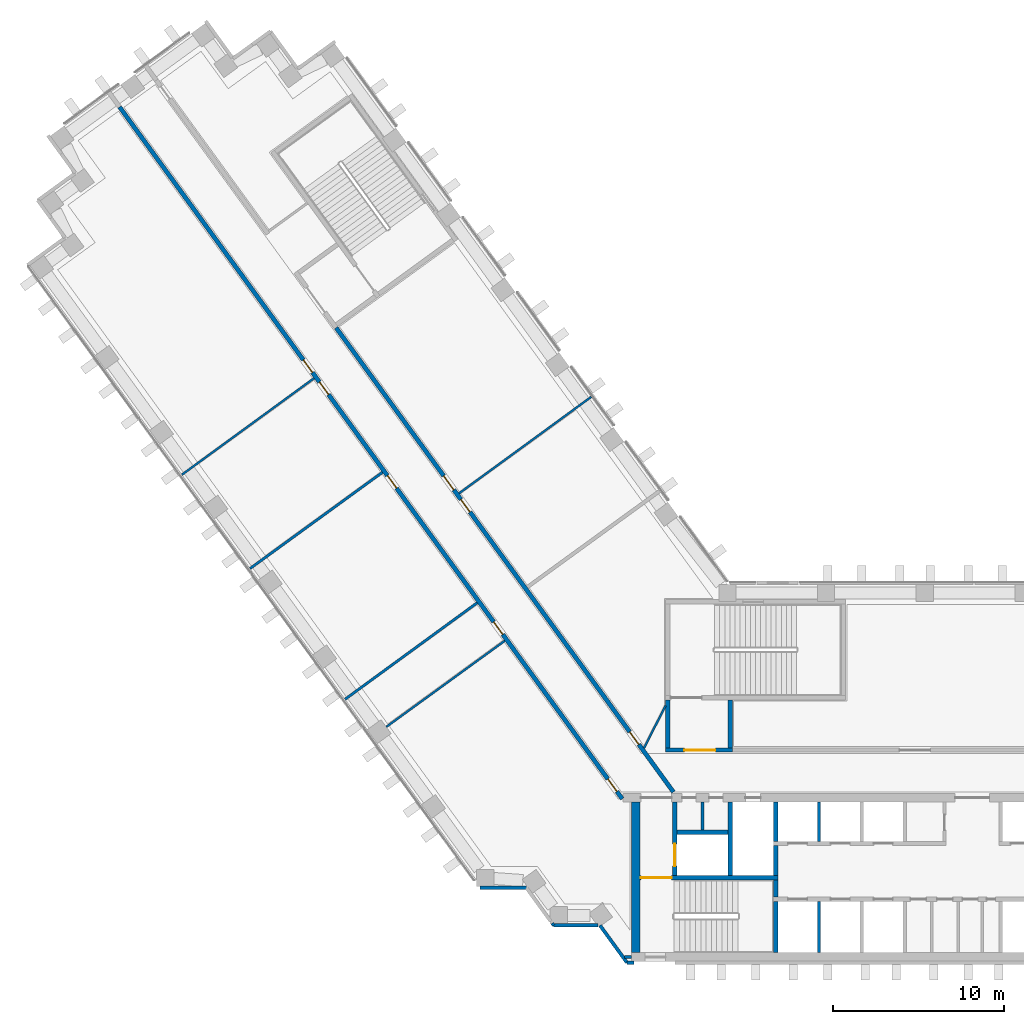
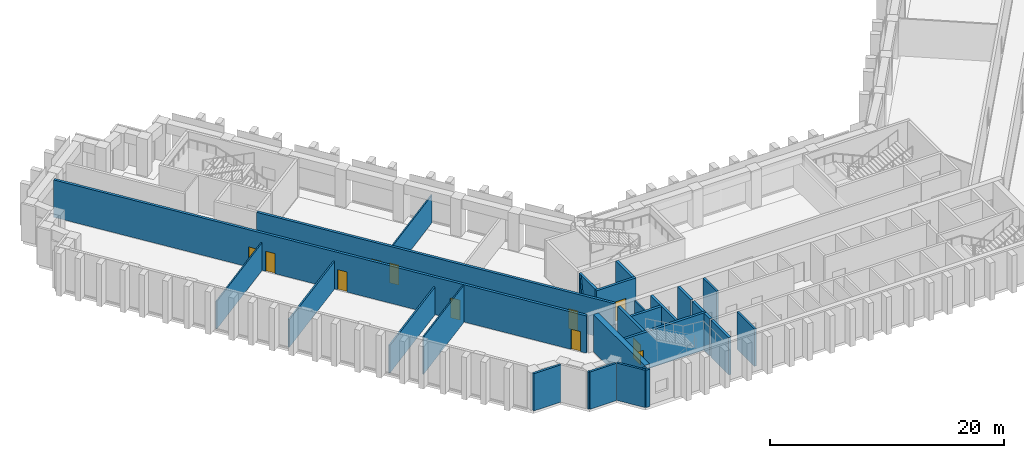
# One storey, part 5 of 14: 29 walls, 11 doors, 11 openings.
"""IFC4 building model written with IfcOpenShell, lengths in metres."""

from ifc_helpers import new_model, si_unit, direction, frame, frame_2d, origin, place, context, subcontext, project, spatial, rectangle, extrude, material, layer, layer_set, type_object, element, fill, save


model = new_model("IFC4")

# Units and contexts
model_context = context("Model", 3, precision=1e-05, world=origin(), true_north=direction((0.0, 1.0)))
body_context = subcontext(model_context, "Body", "Model", "MODEL_VIEW")
ifc_project = project(units=[si_unit("LENGTHUNIT", "METRE"), si_unit("AREAUNIT", "SQUARE_METRE"), si_unit("VOLUMEUNIT", "CUBIC_METRE"), si_unit("PLANEANGLEUNIT", "RADIAN"), si_unit("MASSUNIT", "GRAM", prefix="KILO")], contexts=[model_context])

# Site, building, storey
site_placement = place(None, origin())
site = spatial("IfcSite", under=ifc_project, at=site_placement, CompositionType="ELEMENT")
building_placement = place(site_placement, origin())
building = spatial("IfcBuilding", under=site, at=building_placement, Name="Quipu Civic Tower", CompositionType="ELEMENT")
storey_placement = place(building_placement, frame((0.0, 0.0, 20.5)))
storey = spatial("IfcBuildingStorey", under=building, at=storey_placement, Name="L04", CompositionType="ELEMENT", Elevation=20.5)

# Walls
ifc_material_1 = material(Name="Double gypsum plasterboard with mineral wool")
ifc_layer_1 = layer(ifc_material_1, 0.14990234375)
ifc_layer_set_1 = layer_set([ifc_layer_1], Name="Double gypsum plasterboard with mineral wool")
wall_type_1 = type_object("IfcWallType", Name="Acoustic partition 150 plasterboard", PredefinedType="PARTITIONING", material=ifc_layer_set_1)
wall_1_placement = place(storey_placement, frame((-36.71240234375, 4.288330078125, 0.0), z_axis=(0.0, 0.0, 1.0), x_axis=(0.807606997933, 0.589721067023, 0.0)))
element("IfcWall", 1, at=wall_1_placement, inside=storey, type_object=wall_type_1, Name="Partition P08", PredefinedType="PARTITIONING", context=body_context, shape_type="SweptSolid", body=[
    extrude(rectangle(XDim=9.550048828125, YDim=0.14990234375, at=frame_2d((4.77490234375, 0.0))), origin(), (0.0, 0.0, 1.0), 2.89990234375),
])
wall_2_placement = place(storey_placement, frame((-34.5302734375, 17.53271484375, 0.0), z_axis=(0.0, 0.0, 1.0), x_axis=(-0.809036661777, -0.587758181483, 0.0)))
element("IfcWall", 2, at=wall_2_placement, inside=storey, type_object=wall_type_1, Name="Partition P09", PredefinedType="PARTITIONING", context=body_context, shape_type="SweptSolid", body=[
    extrude(rectangle(XDim=9.55029296875, YDim=0.14990234375, at=frame_2d((4.775146484375, 0.0))), origin(), (0.0, 0.0, 1.0), 2.89990234375),
])
ifc_material_2 = material(Name="Concrete C70/85", Category="concrete")
ifc_layer_2 = layer(ifc_material_2, 0.25)
ifc_layer_set_2 = layer_set([ifc_layer_2], Name="Concrete C70/85")
wall_type_2 = type_object("IfcWallType", Name="Core wall 250", PredefinedType="SHEAR", material=ifc_layer_set_2)
wall_3_placement = place(storey_placement, frame((-11.574951171875, -10.5, 0.0), z_axis=(0.0, 0.0, 1.0), x_axis=(0.0, 1.0, 0.0)))
element("IfcWall", 3, at=wall_3_placement, inside=storey, type_object=wall_type_2, Name="Core wall", PredefinedType="SHEAR", context=body_context, shape_type="SweptSolid", body=[
    extrude(rectangle(XDim=3.0, YDim=0.25, at=frame_2d((1.5, 0.0))), origin(), (0.0, 0.0, 1.0), 3.89990234375),
])
wall_4_placement = place(storey_placement, frame((-11.574951171875, -7.25, 0.0), z_axis=(0.0, 0.0, 1.0), x_axis=(0.0, 1.0, 0.0)))
element("IfcWall", 4, at=wall_4_placement, inside=storey, type_object=wall_type_2, Name="Core wall", PredefinedType="SHEAR", context=body_context, shape_type="SweptSolid", body=[
    extrude(rectangle(XDim=1.0, YDim=0.25, at=frame_2d((0.5, 0.0))), origin(), (0.0, 0.0, 1.0), 3.89990234375),
])

# Wall, opening, door
wall_5_placement = place(storey_placement, frame((-11.449951171875, -6.125, 0.0), z_axis=(0.0, 0.0, 1.0), x_axis=(-1.0, 0.0, 0.0)))
wall_5 = element("IfcWall", 5, at=wall_5_placement, inside=storey, type_object=wall_type_2, Name="Core wall", PredefinedType="SHEAR", context=body_context, shape_type="SweptSolid", body=[
    extrude(rectangle(XDim=8.050048828125, YDim=0.25, at=frame_2d((4.02490234375, 0.0))), origin(), (0.0, 0.0, 1.0), 3.89990234375),
])
opening_1_placement = place(wall_5_placement, frame((6.199951171875, 0.0, 0.0)))
opening_1 = element("IfcOpeningElement", 6, at=opening_1_placement, cuts=wall_5, Name="Opening CD-05", PredefinedType="OPENING", context=body_context, shape_type="SweptSolid", body=[
    extrude(rectangle(XDim=1.800048828125, YDim=2.10009765625, at=frame_2d((0.89990234375, 1.050048828125))), frame((0.0, 0.135009765625, 0.0), z_axis=(0.0, -1.0, 0.0), x_axis=(1.0, 0.0, 0.0)), (0.0, 0.0, 1.0), 0.27001953125),
])
ifc_material_3 = material(Name="Fire rated steel door", Category="steel")
door_type_1 = type_object("IfcDoorType", Name="Fire door FD90 double 1800 x 2100", OperationType="NOTDEFINED", PredefinedType="DOOR", material=ifc_material_3)
door_1_placement = place(opening_1_placement, origin())
door_1 = element("IfcDoor", 7, at=door_1_placement, inside=storey, type_object=door_type_1, Name="Door", OperationType="DOUBLE_DOOR_SINGLE_SWING", OverallHeight=2.10009765625, OverallWidth=1.800048828125, PredefinedType="DOOR", context=body_context, shape_type="SweptSolid", body=[
    extrude(rectangle(XDim=1.800048828125, YDim=2.10009765625, at=frame_2d((0.89990234375, 1.050048828125))), frame((0.0, 0.02490234375, 0.0), z_axis=(0.0, -1.0, 0.0), x_axis=(1.0, 0.0, 0.0)), (0.0, 0.0, 1.0), 0.050048828125),
])
fill(opening_1, door_1)

wall_6_placement = place(storey_placement, frame((-17.47509765625, -6.0, 0.0), z_axis=(0.0, 0.0, 1.0), x_axis=(0.0, 1.0, 0.0)))
wall_6 = element("IfcWall", 8, at=wall_6_placement, inside=storey, type_object=wall_type_2, Name="Core wall", PredefinedType="SHEAR", context=body_context, shape_type="SweptSolid", body=[
    extrude(rectangle(XDim=4.300048828125, YDim=0.25, at=frame_2d((2.14990234375, 0.0))), origin(), (0.0, 0.0, 1.0), 3.89990234375),
])
opening_2_placement = place(wall_6_placement, frame((0.550048828125, 0.0, 0.0)))
opening_2 = element("IfcOpeningElement", 9, at=opening_2_placement, cuts=wall_6, Name="Opening LD-FF1", PredefinedType="OPENING", context=body_context, shape_type="SweptSolid", body=[
    extrude(rectangle(XDim=1.300048828125, YDim=2.10009765625, at=frame_2d((0.64990234375, 1.050048828125))), frame((0.0, 0.135009765625, 0.0), z_axis=(0.0, -1.0, 0.0), x_axis=(1.0, 0.0, 0.0)), (0.0, 0.0, 1.0), 0.27001953125),
])
ifc_material_4 = material(Name="Stainless steel", Category="steel")
door_type_2 = type_object("IfcDoorType", Name="Lift landing door 1300 x 2100", OperationType="DOUBLE_DOOR_SLIDING", PredefinedType="DOOR", material=ifc_material_4)
door_2_placement = place(opening_2_placement, origin())
door_2 = element("IfcDoor", 10, at=door_2_placement, inside=storey, type_object=door_type_2, Name="Landing door FF1", OperationType="DOUBLE_DOOR_SLIDING", OverallHeight=2.10009765625, OverallWidth=1.300048828125, PredefinedType="DOOR", context=body_context, shape_type="SweptSolid", body=[
    extrude(rectangle(XDim=1.300048828125, YDim=2.10009765625, at=frame_2d((0.64990234375, 1.050048828125))), frame((0.0, 0.02490234375, 0.0), z_axis=(0.0, -1.0, 0.0), x_axis=(1.0, 0.0, 0.0)), (0.0, 0.0, 1.0), 0.050048828125),
])
fill(opening_2, door_2)

# Walls
wall_7_placement = place(storey_placement, frame((-14.22509765625, -6.0, 0.0), z_axis=(0.0, 0.0, 1.0), x_axis=(0.0, 1.0, 0.0)))
element("IfcWall", 11, at=wall_7_placement, inside=storey, type_object=wall_type_2, Name="Core wall", PredefinedType="SHEAR", context=body_context, shape_type="SweptSolid", body=[
    extrude(rectangle(XDim=4.300048828125, YDim=0.25, at=frame_2d((2.14990234375, 0.0))), origin(), (0.0, 0.0, 1.0), 3.89990234375),
])
wall_8_placement = place(storey_placement, frame((-11.574951171875, -6.0, 0.0), z_axis=(0.0, 0.0, 1.0), x_axis=(0.0, 1.0, 0.0)))
element("IfcWall", 12, at=wall_8_placement, inside=storey, type_object=wall_type_2, Name="Core wall", PredefinedType="SHEAR", context=body_context, shape_type="SweptSolid", body=[
    extrude(rectangle(XDim=1.75, YDim=0.25, at=frame_2d((0.875, 0.0))), origin(), (0.0, 0.0, 1.0), 3.89990234375),
])
wall_9_placement = place(storey_placement, frame((-11.574951171875, -4.0, 0.0), z_axis=(0.0, 0.0, 1.0), x_axis=(0.0, 1.0, 0.0)))
element("IfcWall", 13, at=wall_9_placement, inside=storey, type_object=wall_type_2, Name="Core wall", PredefinedType="SHEAR", context=body_context, shape_type="SweptSolid", body=[
    extrude(rectangle(XDim=2.300048828125, YDim=0.25, at=frame_2d((1.14990234375, 0.0))), origin(), (0.0, 0.0, 1.0), 3.89990234375),
])
wall_10_placement = place(storey_placement, frame((-17.35009765625, -3.47509765625, 0.0), z_axis=(0.0, 0.0, 1.0), x_axis=(1.0, 0.0, 0.0)))
element("IfcWall", 14, at=wall_10_placement, inside=storey, type_object=wall_type_2, Name="Core wall", PredefinedType="SHEAR", context=body_context, shape_type="SweptSolid", body=[
    extrude(rectangle(XDim=3.0, YDim=0.25, at=frame_2d((1.5, 0.0))), origin(), (0.0, 0.0, 1.0), 3.89990234375),
])

# Wall, opening, door
wall_11_placement = place(storey_placement, frame((-18.0, 1.324951171875, 0.0), z_axis=(0.0, 0.0, 1.0), x_axis=(1.0, 0.0, 0.0)))
wall_11 = element("IfcWall", 15, at=wall_11_placement, inside=storey, type_object=wall_type_2, Name="Core wall", PredefinedType="SHEAR", context=body_context, shape_type="SweptSolid", body=[
    extrude(rectangle(XDim=3.89990234375, YDim=0.25, at=frame_2d((1.949951171875, 0.0))), origin(), (0.0, 0.0, 1.0), 3.89990234375),
])
opening_3_placement = place(wall_11_placement, frame((1.10009765625, 0.0, 0.0)))
opening_3 = element("IfcOpeningElement", 16, at=opening_3_placement, cuts=wall_11, Name="Opening CD-16", PredefinedType="OPENING", context=body_context, shape_type="SweptSolid", body=[
    extrude(rectangle(XDim=1.800048828125, YDim=2.10009765625, at=frame_2d((0.89990234375, 1.050048828125))), frame((0.0, 0.135009765625, 0.0), z_axis=(0.0, -1.0, 0.0), x_axis=(1.0, 0.0, 0.0)), (0.0, 0.0, 1.0), 0.27001953125),
])
door_3_placement = place(opening_3_placement, origin())
door_3 = element("IfcDoor", 17, at=door_3_placement, inside=storey, type_object=door_type_1, Name="Lobby door", OperationType="DOUBLE_DOOR_SINGLE_SWING", OverallHeight=2.10009765625, OverallWidth=1.800048828125, PredefinedType="DOOR", context=body_context, shape_type="SweptSolid", body=[
    extrude(rectangle(XDim=1.800048828125, YDim=2.10009765625, at=frame_2d((0.89990234375, 1.050048828125))), frame((0.0, 0.02490234375, 0.0), z_axis=(0.0, -1.0, 0.0), x_axis=(1.0, 0.0, 0.0)), (0.0, 0.0, 1.0), 0.050048828125),
])
fill(opening_3, door_3)

# Walls
for number, where, z_axis, x_axis, name in (
    (18, (-17.875, 1.449951171875, 0.0), (0.0, 0.0, 1.0), (0.0, 1.0, 0.0), "Core wall"),
    (19, (-14.22509765625, 1.449951171875, 0.0), (0.0, 0.0, 1.0), (0.0, 1.0, 0.0), "Core wall"),
):
    element("IfcWall", number, at=place(storey_placement, frame(where, z_axis=z_axis, x_axis=x_axis)), inside=storey, type_object=wall_type_2, Name=name, PredefinedType="SHEAR", context=body_context, shape_type="SweptSolid", body=[
        extrude(rectangle(XDim=2.800048828125, YDim=0.25, at=frame_2d((1.39990234375, 0.0))), origin(), (0.0, 0.0, 1.0), 3.89990234375),
    ])
ifc_material_5 = material(Name="Concrete C70/85", Category="concrete")
ifc_layer_3 = layer(ifc_material_5, 0.5)
ifc_layer_set_3 = layer_set([ifc_layer_3], Name="Concrete C70/85")
wall_type_3 = type_object("IfcWallType", Name="Core wall 500", PredefinedType="SHEAR", material=ifc_layer_set_3)
wall_12_placement = place(storey_placement, frame((-19.75, -10.5, 0.0), z_axis=(0.0, 0.0, 1.0), x_axis=(0.0, 1.0, 0.0)))
element("IfcWall", 20, at=wall_12_placement, inside=storey, type_object=wall_type_3, Name="Core wall", PredefinedType="SHEAR", context=body_context, shape_type="SweptSolid", body=[
    extrude(rectangle(XDim=8.800048828125, YDim=0.5, at=frame_2d((4.39990234375, 0.0))), origin(), (0.0, 0.0, 1.0), 3.89990234375),
])

# Wall, openings, doors
ifc_material_6 = material(Name="Concrete C50/60", Category="concrete")
ifc_layer_4 = layer(ifc_material_6, 0.25)
ifc_layer_set_4 = layer_set([ifc_layer_4], Name="Concrete C50/60")
wall_type_4 = type_object("IfcWallType", Name="Corridor wall 250 concrete", PredefinedType="SOLIDWALL", material=ifc_layer_set_4)
wall_13_placement = place(storey_placement, frame((-20.531005859375, -1.5234375, 0.0), z_axis=(0.0, 0.0, 1.0), x_axis=(-0.587784522481, 0.809017524614, 0.0)))
wall_13 = element("IfcWall", 21, at=wall_13_placement, inside=storey, type_object=wall_type_4, Name="Corridor wall C02", PredefinedType="SOLIDWALL", context=body_context, shape_type="SweptSolid", body=[
    extrude(rectangle(XDim=49.912353515625, YDim=0.25, at=frame_2d((24.9560546875, 0.0))), origin(), (0.0, 0.0, 1.0), 3.89990234375),
])
opening_4_placement = place(wall_13_placement, frame((30.765380859375, 0.0, 0.0)))
opening_4 = element("IfcOpeningElement", 22, at=opening_4_placement, cuts=wall_13, Name="Opening D014", PredefinedType="OPENING", context=body_context, shape_type="SweptSolid", body=[
    extrude(rectangle(XDim=0.89990234375, YDim=2.10009765625, at=frame_2d((0.449951171875, 1.050048828125))), frame((0.0, 0.135009765625, 0.0), z_axis=(0.0, -1.0, 0.0), x_axis=(1.0, 0.0, 0.0)), (0.0, 0.0, 1.0), 0.27001953125),
])
opening_5_placement = place(wall_13_placement, frame((0.53271484375, 0.0, 0.0)))
opening_5 = element("IfcOpeningElement", 23, at=opening_5_placement, cuts=wall_13, Name="Opening D018", PredefinedType="OPENING", context=body_context, shape_type="SweptSolid", body=[
    extrude(rectangle(XDim=0.89990234375, YDim=2.10009765625, at=frame_2d((0.449951171875, 1.050048828125))), frame((0.0, 0.135009765625, 0.0), z_axis=(0.0, -1.0, 0.0), x_axis=(1.0, 0.0, 0.0)), (0.0, 0.0, 1.0), 0.27001953125),
])
opening_6_placement = place(wall_13_placement, frame((22.415771484375, 0.0, 0.0)))
opening_6 = element("IfcOpeningElement", 24, at=opening_6_placement, cuts=wall_13, Name="Opening D016", PredefinedType="OPENING", context=body_context, shape_type="SweptSolid", body=[
    extrude(rectangle(XDim=0.89990234375, YDim=2.10009765625, at=frame_2d((0.449951171875, 1.050048828125))), frame((0.0, 0.135009765625, 0.0), z_axis=(0.0, -1.0, 0.0), x_axis=(1.0, 0.0, 0.0)), (0.0, 0.0, 1.0), 0.27001953125),
])
opening_7_placement = place(wall_13_placement, frame((11.865966796875, 0.0, 0.0)))
opening_7 = element("IfcOpeningElement", 25, at=opening_7_placement, cuts=wall_13, Name="Opening D017", PredefinedType="OPENING", context=body_context, shape_type="SweptSolid", body=[
    extrude(rectangle(XDim=0.89990234375, YDim=2.10009765625, at=frame_2d((0.449951171875, 1.050048828125))), frame((0.0, 0.135009765625, 0.0), z_axis=(0.0, -1.0, 0.0), x_axis=(1.0, 0.0, 0.0)), (0.0, 0.0, 1.0), 0.27001953125),
])
opening_8_placement = place(wall_13_placement, frame((29.166015625, 0.0, 0.0)))
opening_8 = element("IfcOpeningElement", 26, at=opening_8_placement, cuts=wall_13, Name="Opening D015", PredefinedType="OPENING", context=body_context, shape_type="SweptSolid", body=[
    extrude(rectangle(XDim=0.89990234375, YDim=2.10009765625, at=frame_2d((0.449951171875, 1.050048828125))), frame((0.0, 0.135009765625, 0.0), z_axis=(0.0, -1.0, 0.0), x_axis=(1.0, 0.0, 0.0)), (0.0, 0.0, 1.0), 0.27001953125),
])
ifc_material_7 = material(Name="Fire rated timber door set with metal frame", Category="wood")
door_type_3 = type_object("IfcDoorType", Name="Single door 900 x 2100 FD60", OperationType="NOTDEFINED", PredefinedType="DOOR", material=ifc_material_7)
door_4_placement = place(opening_4_placement, origin())
door_4 = element("IfcDoor", 27, at=door_4_placement, inside=storey, type_object=door_type_3, Name="Door D014", OperationType="SINGLE_SWING_LEFT", OverallHeight=2.10009765625, OverallWidth=0.89990234375, PredefinedType="DOOR", context=body_context, shape_type="SweptSolid", body=[
    extrude(rectangle(XDim=0.89990234375, YDim=2.10009765625, at=frame_2d((0.449951171875, 1.050048828125))), frame((0.0, 0.02490234375, 0.0), z_axis=(0.0, -1.0, 0.0), x_axis=(1.0, 0.0, 0.0)), (0.0, 0.0, 1.0), 0.050048828125),
])
fill(opening_4, door_4)
door_5_placement = place(opening_5_placement, origin())
door_5 = element("IfcDoor", 28, at=door_5_placement, inside=storey, type_object=door_type_3, Name="Door D018", OperationType="SINGLE_SWING_LEFT", OverallHeight=2.10009765625, OverallWidth=0.89990234375, PredefinedType="DOOR", context=body_context, shape_type="SweptSolid", body=[
    extrude(rectangle(XDim=0.89990234375, YDim=2.10009765625, at=frame_2d((0.449951171875, 1.050048828125))), frame((0.0, 0.02490234375, 0.0), z_axis=(0.0, -1.0, 0.0), x_axis=(1.0, 0.0, 0.0)), (0.0, 0.0, 1.0), 0.050048828125),
])
fill(opening_5, door_5)
door_6_placement = place(opening_6_placement, origin())
door_6 = element("IfcDoor", 29, at=door_6_placement, inside=storey, type_object=door_type_3, Name="Door D016", OperationType="SINGLE_SWING_RIGHT", OverallHeight=2.10009765625, OverallWidth=0.89990234375, PredefinedType="DOOR", context=body_context, shape_type="SweptSolid", body=[
    extrude(rectangle(XDim=0.89990234375, YDim=2.10009765625, at=frame_2d((0.449951171875, 1.050048828125))), frame((0.0, 0.02490234375, 0.0), z_axis=(0.0, -1.0, 0.0), x_axis=(1.0, 0.0, 0.0)), (0.0, 0.0, 1.0), 0.050048828125),
])
fill(opening_6, door_6)
door_7_placement = place(opening_7_placement, origin())
door_7 = element("IfcDoor", 30, at=door_7_placement, inside=storey, type_object=door_type_3, Name="Door D017", OperationType="SINGLE_SWING_LEFT", OverallHeight=2.10009765625, OverallWidth=0.89990234375, PredefinedType="DOOR", context=body_context, shape_type="SweptSolid", body=[
    extrude(rectangle(XDim=0.89990234375, YDim=2.10009765625, at=frame_2d((0.449951171875, 1.050048828125))), frame((0.0, 0.02490234375, 0.0), z_axis=(0.0, -1.0, 0.0), x_axis=(1.0, 0.0, 0.0)), (0.0, 0.0, 1.0), 0.050048828125),
])
fill(opening_7, door_7)
door_8_placement = place(opening_8_placement, origin())
door_8 = element("IfcDoor", 31, at=door_8_placement, inside=storey, type_object=door_type_3, Name="Door D015", OperationType="SINGLE_SWING_RIGHT", OverallHeight=2.10009765625, OverallWidth=0.89990234375, PredefinedType="DOOR", context=body_context, shape_type="SweptSolid", body=[
    extrude(rectangle(XDim=0.89990234375, YDim=2.10009765625, at=frame_2d((0.449951171875, 1.050048828125))), frame((0.0, 0.02490234375, 0.0), z_axis=(0.0, -1.0, 0.0), x_axis=(1.0, 0.0, 0.0)), (0.0, 0.0, 1.0), 0.050048828125),
])
fill(opening_8, door_8)

wall_14_placement = place(storey_placement, frame((-37.231689453125, 25.9716796875, 0.0), z_axis=(0.0, 0.0, 1.0), x_axis=(0.587786323093, -0.809016216391, 0.0)))
wall_14 = element("IfcWall", 32, at=wall_14_placement, inside=storey, type_object=wall_type_4, Name="Corridor wall C04", PredefinedType="SOLIDWALL", context=body_context, shape_type="SweptSolid", body=[
    extrude(rectangle(XDim=33.4931640625, YDim=0.25, at=frame_2d((16.74658203125, 0.0))), origin(), (0.0, 0.0, 1.0), 3.89990234375),
])
opening_9_placement = place(wall_14_placement, frame((10.685302734375, 0.0, 0.0)))
opening_9 = element("IfcOpeningElement", 33, at=opening_9_placement, cuts=wall_14, Name="Opening D011", PredefinedType="OPENING", context=body_context, shape_type="SweptSolid", body=[
    extrude(rectangle(XDim=1.0, YDim=2.10009765625, at=frame_2d((0.5, 1.050048828125))), frame((0.0, 0.135009765625, 0.0), z_axis=(0.0, -1.0, 0.0), x_axis=(1.0, 0.0, 0.0)), (0.0, 0.0, 1.0), 0.27001953125),
])
opening_10_placement = place(wall_14_placement, frame((29.151611328125, 0.0, 0.0)))
opening_10 = element("IfcOpeningElement", 34, at=opening_10_placement, cuts=wall_14, Name="Opening D013", PredefinedType="OPENING", context=body_context, shape_type="SweptSolid", body=[
    extrude(rectangle(XDim=0.89990234375, YDim=2.10009765625, at=frame_2d((0.449951171875, 1.050048828125))), frame((0.0, 0.135009765625, 0.0), z_axis=(0.0, -1.0, 0.0), x_axis=(1.0, 0.0, 0.0)), (0.0, 0.0, 1.0), 0.27001953125),
])
opening_11_placement = place(wall_14_placement, frame((12.385498046875, 0.0, 0.0)))
opening_11 = element("IfcOpeningElement", 35, at=opening_11_placement, cuts=wall_14, Name="Opening D012", PredefinedType="OPENING", context=body_context, shape_type="SweptSolid", body=[
    extrude(rectangle(XDim=0.89990234375, YDim=2.10009765625, at=frame_2d((0.449951171875, 1.050048828125))), frame((0.0, 0.135009765625, 0.0), z_axis=(0.0, -1.0, 0.0), x_axis=(1.0, 0.0, 0.0)), (0.0, 0.0, 1.0), 0.27001953125),
])
ifc_material_8 = material(Name="Fire rated timber door set with metal frame", Category="wood")
door_type_4 = type_object("IfcDoorType", Name="Single door 1000 x 2100 FD60", OperationType="NOTDEFINED", PredefinedType="DOOR", material=ifc_material_8)
door_9_placement = place(opening_9_placement, origin())
door_9 = element("IfcDoor", 36, at=door_9_placement, inside=storey, type_object=door_type_4, Name="Door D011", OperationType="SINGLE_SWING_RIGHT", OverallHeight=2.10009765625, OverallWidth=1.0, PredefinedType="DOOR", context=body_context, shape_type="SweptSolid", body=[
    extrude(rectangle(XDim=1.0, YDim=2.10009765625, at=frame_2d((0.5, 1.050048828125))), frame((0.0, 0.02490234375, 0.0), z_axis=(0.0, -1.0, 0.0), x_axis=(1.0, 0.0, 0.0)), (0.0, 0.0, 1.0), 0.050048828125),
])
fill(opening_9, door_9)
door_10_placement = place(opening_10_placement, origin())
door_10 = element("IfcDoor", 37, at=door_10_placement, inside=storey, type_object=door_type_3, Name="Door D013", OperationType="SINGLE_SWING_RIGHT", OverallHeight=2.10009765625, OverallWidth=0.89990234375, PredefinedType="DOOR", context=body_context, shape_type="SweptSolid", body=[
    extrude(rectangle(XDim=0.89990234375, YDim=2.10009765625, at=frame_2d((0.449951171875, 1.050048828125))), frame((0.0, 0.02490234375, 0.0), z_axis=(0.0, -1.0, 0.0), x_axis=(1.0, 0.0, 0.0)), (0.0, 0.0, 1.0), 0.050048828125),
])
fill(opening_10, door_10)
door_11_placement = place(opening_11_placement, origin())
door_11 = element("IfcDoor", 38, at=door_11_placement, inside=storey, type_object=door_type_3, Name="Door D012", OperationType="SINGLE_SWING_LEFT", OverallHeight=2.10009765625, OverallWidth=0.89990234375, PredefinedType="DOOR", context=body_context, shape_type="SweptSolid", body=[
    extrude(rectangle(XDim=0.89990234375, YDim=2.10009765625, at=frame_2d((0.449951171875, 1.050048828125))), frame((0.0, 0.02490234375, 0.0), z_axis=(0.0, -1.0, 0.0), x_axis=(1.0, 0.0, 0.0)), (0.0, 0.0, 1.0), 0.050048828125),
])
fill(opening_11, door_11)

# Walls
ifc_material_9 = material(Name="Gypsum plasterboard on light gauge framing")
ifc_layer_5 = layer(ifc_material_9, 0.1201171875)
ifc_layer_set_5 = layer_set([ifc_layer_5], Name="Gypsum plasterboard on light gauge framing")
wall_type_5 = type_object("IfcWallType", Name="Partition 120 plasterboard", PredefinedType="PARTITIONING", material=ifc_layer_set_5)
wall_15_placement = place(storey_placement, frame((-46.234375, 17.394287109375, 0.0), z_axis=(0.0, 0.0, 1.0), x_axis=(0.807606997933, 0.589721067023, 0.0)))
element("IfcWall", 39, at=wall_15_placement, inside=storey, type_object=wall_type_5, Name="Partition P03", PredefinedType="PARTITIONING", context=body_context, shape_type="SweptSolid", body=[
    extrude(rectangle(XDim=9.550048828125, YDim=0.1201171875, at=frame_2d((4.77490234375, 0.0))), origin(), (0.0, 0.0, 1.0), 2.89990234375),
])
wall_16_placement = place(storey_placement, frame((-30.055908203125, 16.30810546875, 0.0), z_axis=(0.0, 0.0, 1.0), x_axis=(0.807610282865, 0.589716568371, 0.0)))
element("IfcWall", 40, at=wall_16_placement, inside=storey, type_object=wall_type_5, Name="Partition P04", PredefinedType="PARTITIONING", context=body_context, shape_type="SweptSolid", body=[
    extrude(rectangle(XDim=9.549560546875, YDim=0.1201171875, at=frame_2d((4.77490234375, 0.0))), origin(), (0.0, 0.0, 1.0), 2.89990234375),
])
wall_17_placement = place(storey_placement, frame((-27.38916015625, 7.702880859375, 0.0), z_axis=(0.0, 0.0, 1.0), x_axis=(-0.809054740315, -0.587733295955, 0.0)))
element("IfcWall", 41, at=wall_17_placement, inside=storey, type_object=wall_type_5, Name="Partition P05", PredefinedType="PARTITIONING", context=body_context, shape_type="SweptSolid", body=[
    extrude(rectangle(XDim=8.544677734375, YDim=0.1201171875, at=frame_2d((4.2724609375, 0.0))), origin(), (0.0, 0.0, 1.0), 3.89990234375),
])
wall_18_placement = place(storey_placement, frame((-19.260986328125, 1.449951171875, 0.0), z_axis=(0.0, 0.0, 1.0), x_axis=(0.453950796792, 0.891026752736, 0.0)))
element("IfcWall", 42, at=wall_18_placement, inside=storey, type_object=wall_type_5, Name="Partition P14", PredefinedType="PARTITIONING", context=body_context, shape_type="SweptSolid", body=[
    extrude(rectangle(XDim=2.77783203125, YDim=0.1201171875, at=frame_2d((1.388916015625, 0.0))), origin(), (0.0, 0.0, 1.0), 3.89990234375),
])
ifc_material_10 = material(Name="Gypsum board partition")
ifc_layer_6 = layer(ifc_material_10, 0.14990234375)
ifc_layer_set_6 = layer_set([ifc_layer_6], Name="Gypsum board partition")
wall_type_6 = type_object("IfcWallType", Name="Partition 150", PredefinedType="PARTITIONING", material=ifc_layer_set_6)
wall_19_placement = place(storey_placement, frame((-15.85009765625, -3.35009765625, 0.0), z_axis=(0.0, 0.0, 1.0), x_axis=(0.0, 1.0, 0.0)))
element("IfcWall", 43, at=wall_19_placement, inside=storey, type_object=wall_type_6, Name="Partition", PredefinedType="PARTITIONING", context=body_context, shape_type="SweptSolid", body=[
    extrude(rectangle(XDim=1.650146484375, YDim=0.14990234375, at=frame_2d((0.8251953125, 0.0))), origin(), (0.0, 0.0, 1.0), 3.89990234375),
])
ifc_material_11 = material(Name="Precast concrete C40/50", Category="concrete")
wall_type_7 = type_object("IfcWallType", Name="Precast cladding wall", PredefinedType="SOLIDWALL", material=ifc_material_11)
wall_20_placement = place(storey_placement, frame((-28.829833984375, -6.71923828125, 0.0), z_axis=(0.0, 0.0, 1.0), x_axis=(1.0, 0.0, 0.0)))
element("IfcWall", 44, at=wall_20_placement, inside=storey, type_object=wall_type_7, Name="Precast cladding wall L04 P19", PredefinedType="SOLIDWALL", context=body_context, shape_type="SweptSolid", body=[
    extrude(rectangle(XDim=2.699951171875, YDim=0.199951171875, at=frame_2d((1.35009765625, 0.0))), origin(), (0.0, 0.0, 1.0), 3.89990234375),
])
wall_21_placement = place(storey_placement, frame((-24.623779296875, -8.78369140625, 0.0), z_axis=(0.0, 0.0, 1.0), x_axis=(0.586760218966, -0.809760733451, 0.0)))
element("IfcWall", 45, at=wall_21_placement, inside=storey, type_object=wall_type_7, Name="Precast cladding wall L04 P21", PredefinedType="SOLIDWALL", context=body_context, shape_type="SweptSolid", body=[
    extrude(rectangle(XDim=0.154296875, YDim=0.199951171875, at=frame_2d((0.0771484375, 0.0))), origin(), (0.0, 0.0, 1.0), 3.89990234375),
])
wall_22_placement = place(storey_placement, frame((-24.53076171875, -8.90380859375, 0.0), z_axis=(0.0, 0.0, 1.0), x_axis=(1.0, 0.0, 0.0)))
element("IfcWall", 46, at=wall_22_placement, inside=storey, type_object=wall_type_7, Name="Precast cladding wall L04 P22", PredefinedType="SOLIDWALL", context=body_context, shape_type="SweptSolid", body=[
    extrude(rectangle(XDim=2.58740234375, YDim=0.199951171875, at=frame_2d((1.293701171875, 0.0))), origin(), (0.0, 0.0, 1.0), 3.89990234375),
])
wall_23_placement = place(storey_placement, frame((-21.8330078125, -8.90869140625, 0.0), z_axis=(0.0, 0.0, 1.0), x_axis=(0.587766567315, -0.809030569476, 0.0)))
element("IfcWall", 47, at=wall_23_placement, inside=storey, type_object=wall_type_7, Name="Precast cladding wall L04 P23", PredefinedType="SOLIDWALL", context=body_context, shape_type="SweptSolid", body=[
    extrude(rectangle(XDim=2.687744140625, YDim=0.199951171875, at=frame_2d((1.34375, 0.0))), origin(), (0.0, 0.0, 1.0), 3.89990234375),
])
wall_24_placement = place(storey_placement, frame((-20.255859375, -11.087890625, 0.0), z_axis=(0.0, 0.0, 1.0), x_axis=(1.0, 0.0, 0.0)))
element("IfcWall", 48, at=wall_24_placement, inside=storey, type_object=wall_type_7, Name="Precast cladding wall L04 P24", PredefinedType="SOLIDWALL", context=body_context, shape_type="SweptSolid", body=[
    extrude(rectangle(XDim=0.40576171875, YDim=0.199951171875, at=frame_2d((0.202880859375, 0.0))), origin(), (0.0, 0.0, 1.0), 3.89990234375),
])
wall_25_placement = place(storey_placement, frame((-19.97998046875, -10.75, 0.0), z_axis=(0.0, 0.0, 1.0), x_axis=(-1.0, 0.0, 0.0)))
element("IfcWall", 49, at=wall_25_placement, inside=storey, type_object=wall_type_7, Name="Precast cladding return L04 W", PredefinedType="SOLIDWALL", context=body_context, shape_type="SweptSolid", body=[
    extrude(rectangle(XDim=0.41650390625, YDim=0.199951171875, at=frame_2d((0.208251953125, 0.0))), origin(), (0.0, 0.0, 1.0), 3.89990234375),
])
ifc_material_12 = material(Name="Concrete C40/50", Category="concrete")
ifc_layer_7 = layer(ifc_material_12, 0.199951171875)
ifc_layer_set_7 = layer_set([ifc_layer_7], Name="Concrete C40/50")
wall_type_8 = type_object("IfcWallType", Name="Shaft wall 200", PredefinedType="SOLIDWALL", material=ifc_layer_set_7)
wall_26_placement = place(storey_placement, frame((-9.050048828125, -10.5, 0.0), z_axis=(0.0, 0.0, 1.0), x_axis=(0.0, 1.0, 0.0)))
element("IfcWall", 50, at=wall_26_placement, inside=storey, type_object=wall_type_8, Name="Shaft wall", PredefinedType="SOLIDWALL", context=body_context, shape_type="SweptSolid", body=[
    extrude(rectangle(XDim=3.0, YDim=0.199951171875, at=frame_2d((1.5, 0.0))), origin(), (0.0, 0.0, 1.0), 3.89990234375),
])
wall_27_placement = place(storey_placement, frame((-9.050048828125, -4.0, 0.0), z_axis=(0.0, 0.0, 1.0), x_axis=(0.0, 1.0, 0.0)))
element("IfcWall", 51, at=wall_27_placement, inside=storey, type_object=wall_type_8, Name="Shaft wall", PredefinedType="SOLIDWALL", context=body_context, shape_type="SweptSolid", body=[
    extrude(rectangle(XDim=2.300048828125, YDim=0.199951171875, at=frame_2d((1.14990234375, 0.0))), origin(), (0.0, 0.0, 1.0), 3.89990234375),
])

save(model, "model.ifc")
